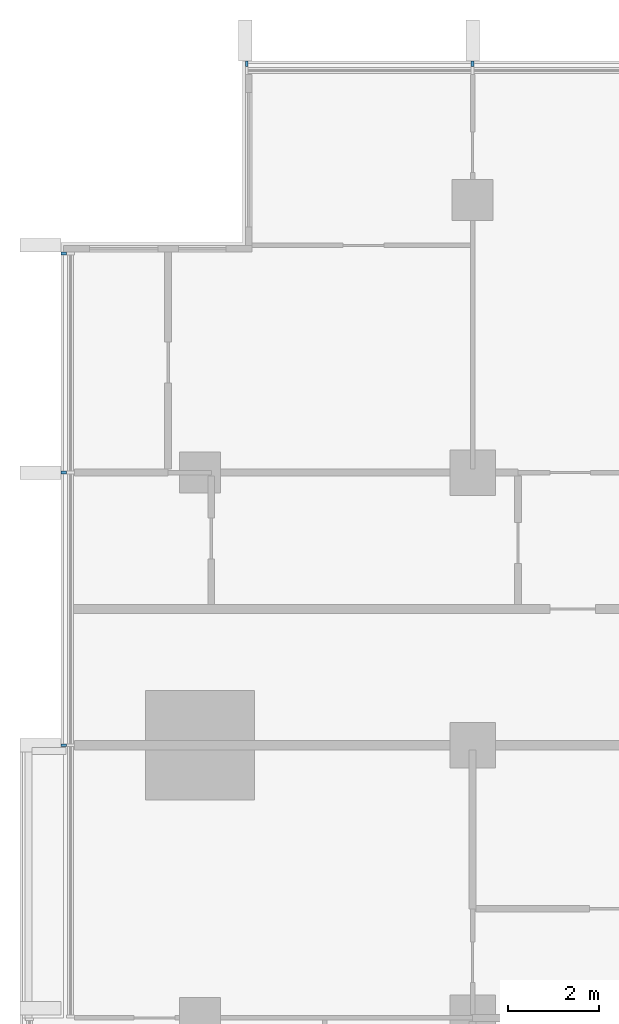
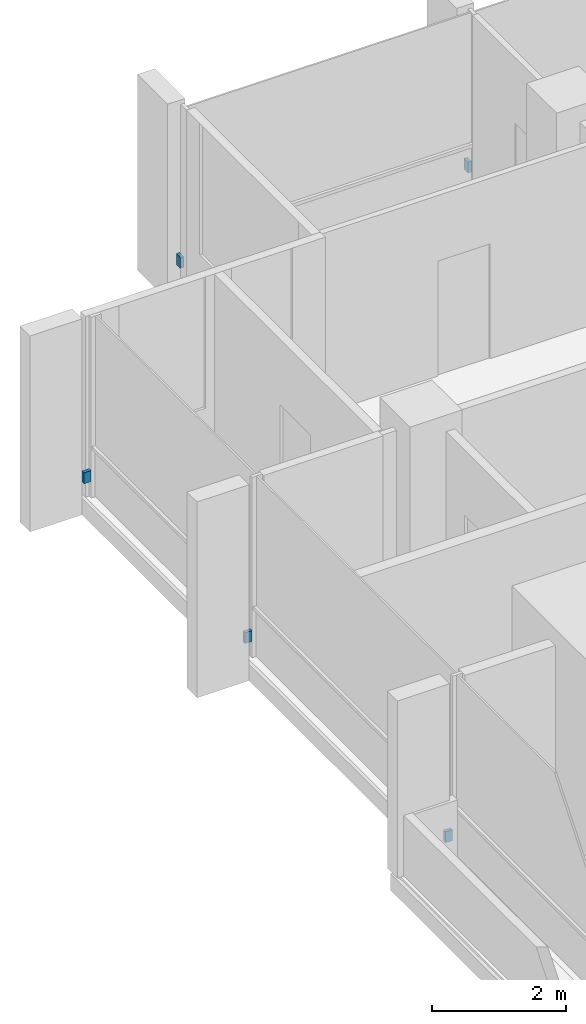
# One storey, part 15 of 17: 5 discrete accessories.
"""IFC4 building model written with IfcOpenShell, lengths in metres."""

from ifc_helpers import new_model, si_unit, direction, frame, origin, origin_2d, place, context, subcontext, project, spatial, rectangle, extrude, material, type_object, element, save


model = new_model("IFC4")

# Units and contexts
model_context = context("Model", 3, precision=1e-05, world=origin(), true_north=direction((0.0, 1.0)))
body_context = subcontext(model_context, "Body", "Model", "MODEL_VIEW")
ifc_project = project(units=[si_unit("LENGTHUNIT", "METRE"), si_unit("AREAUNIT", "SQUARE_METRE"), si_unit("VOLUMEUNIT", "CUBIC_METRE"), si_unit("PLANEANGLEUNIT", "RADIAN"), si_unit("MASSUNIT", "GRAM", prefix="KILO")], contexts=[model_context])

# Site, building, storey
site_placement = place(None, origin())
site = spatial("IfcSite", under=ifc_project, at=site_placement, CompositionType="ELEMENT")
building_placement = place(site_placement, origin())
building = spatial("IfcBuilding", under=site, at=building_placement, Name="Finial Court Residences", CompositionType="ELEMENT")
storey_placement = place(building_placement, frame((0.0, 0.0, 170.89990234375)))
storey = spatial("IfcBuildingStorey", under=building, at=storey_placement, Name="L42", CompositionType="ELEMENT", Elevation=170.89990234375)

# Discrete accessories
ifc_material = material(Name="Stainless steel 316", Category="steel")
discrete_accessory_type = type_object("IfcDiscreteAccessoryType", Name="Fin bracket, stainless steel 60 x 122 x 200", PredefinedType="BRACKET", material=ifc_material)
for number, where, z_axis, x_axis, name in (
    (1, (-15.469970703125, 22.498779296875, 0.30029296875), (0.0, 0.0, 1.0), (1.0, 0.0, 0.0), "E-L42-FIN-N1-BRK"),
    (2, (-10.5, 22.498779296875, 0.30029296875), (0.0, 0.0, 1.0), (1.0, 0.0, 0.0), "E-L42-FIN-N2-BRK"),
):
    element("IfcDiscreteAccessory", number, at=place(storey_placement, frame(where, z_axis=z_axis, x_axis=x_axis)), inside=storey, type_object=discrete_accessory_type, Name=name, PredefinedType="BRACKET", context=body_context, shape_type="SweptSolid", body=[
        extrude(rectangle(XDim=0.06005859375, YDim=0.12255859375, at=origin_2d()), origin(), (0.0, 0.0, 1.0), 0.199951171875),
    ])
for number, where, z_axis, x_axis, name in (
    (3, (-19.498779296875, 7.5, 0.30029296875), (0.0, 0.0, 1.0), (1.0, 0.0, 0.0), "E-L42-FIN-W26-BRK"),
    (4, (-19.498779296875, 13.5, 0.30029296875), (0.0, 0.0, 1.0), (1.0, 0.0, 0.0), "E-L42-FIN-W27-BRK"),
    (5, (-19.498779296875, 18.320068359375, 0.30029296875), (0.0, 0.0, 1.0), (1.0, 0.0, 0.0), "E-L42-FIN-W28-BRK"),
):
    element("IfcDiscreteAccessory", number, at=place(storey_placement, frame(where, z_axis=z_axis, x_axis=x_axis)), inside=storey, type_object=discrete_accessory_type, Name=name, PredefinedType="BRACKET", context=body_context, shape_type="SweptSolid", body=[
        extrude(rectangle(XDim=0.12255859375, YDim=0.06005859375, at=origin_2d()), origin(), (0.0, 0.0, 1.0), 0.199951171875),
    ])

save(model, "model.ifc")
